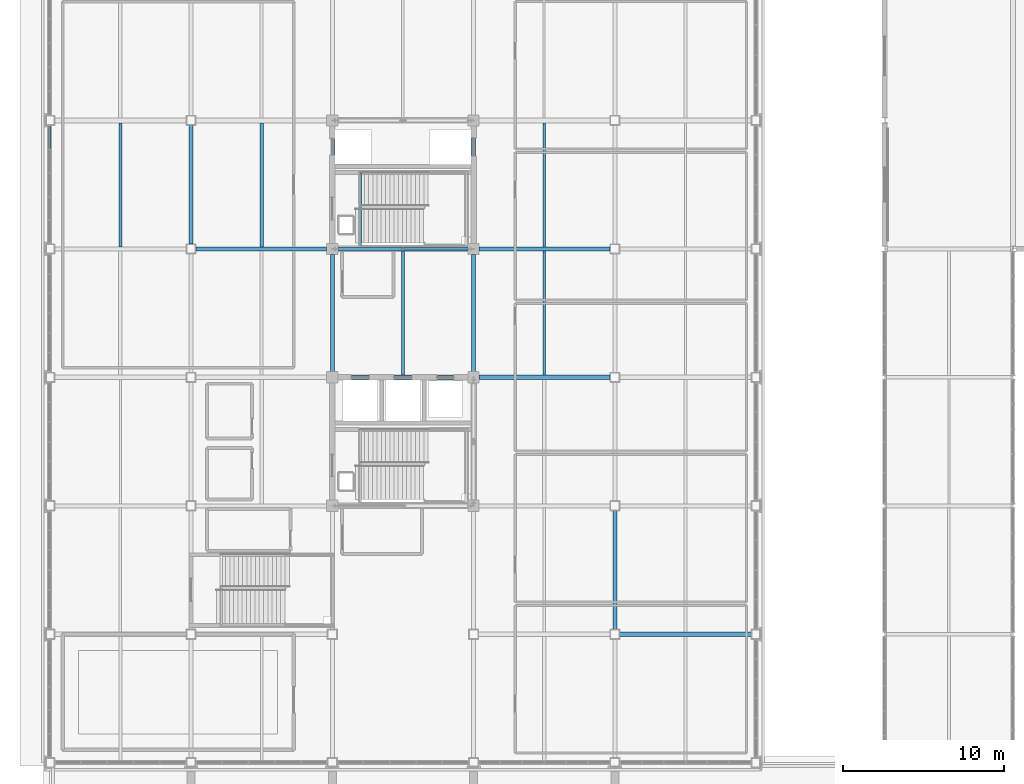
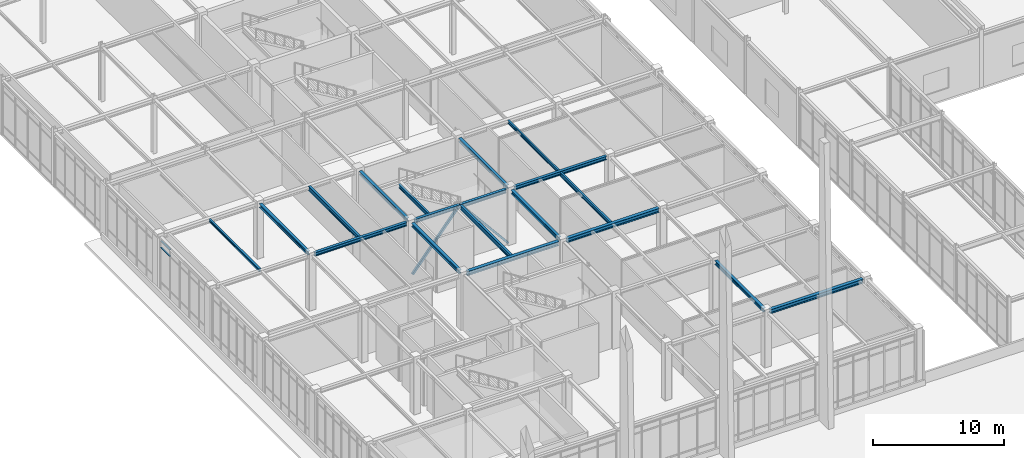
# One storey, part 29 of 108: 18 beams, 4 members, 1 element without a shape of its own.
"""IFC4 building model written with IfcOpenShell, lengths in metres."""

from ifc_helpers import new_model, si_unit, direction, frame, origin, origin_2d, place, context, subcontext, project, spatial, rectangle, hollow_rectangle, i_section, extrude, material, material_profile, profile_set, type_object, element, aggregate, save


model = new_model("IFC4")

# Units and contexts
model_context = context("Model", 3, precision=1e-05, world=origin(), true_north=direction((0.0, 1.0)))
body_context = subcontext(model_context, "Body", "Model", "MODEL_VIEW")
ifc_project = project(units=[si_unit("LENGTHUNIT", "METRE"), si_unit("AREAUNIT", "SQUARE_METRE"), si_unit("VOLUMEUNIT", "CUBIC_METRE"), si_unit("PLANEANGLEUNIT", "RADIAN"), si_unit("MASSUNIT", "GRAM", prefix="KILO")], contexts=[model_context])

# Site, building, storey
site_placement = place(None, origin())
site = spatial("IfcSite", under=ifc_project, at=site_placement, CompositionType="ELEMENT")
building_placement = place(site_placement, origin())
building = spatial("IfcBuilding", under=site, at=building_placement, Name="Zhaolan Boulevard Law Courts", CompositionType="ELEMENT")
storey_placement = place(building_placement, frame((0.0, 0.0, 10.800048828125)))
storey = spatial("IfcBuildingStorey", under=building, at=storey_placement, Name="L02", CompositionType="ELEMENT", Elevation=10.800048828125)

# Members
ifc_material_1 = material(Name="Structural steel Q355B", Category="steel")
ifc_material_profile_1 = material_profile(ifc_material_1, hollow_rectangle(XDim=0.179931640625, YDim=0.179931640625, WallThickness=0.008056640625, InnerFilletRadius=0.008056640625, OuterFilletRadius=0.01611328125, at=origin_2d()), Name="HSS180x180x8")
ifc_profile_set_1 = profile_set([ifc_material_profile_1], Name="Structural steel Q355B")
member_type_1 = type_object("IfcMemberType", Name="BRACE HSS180", PredefinedType="BRACE", material=ifc_profile_set_1)
member_1_placement = place(storey_placement, frame((26.219970703125, 62.0, 0.030029296875), z_axis=(-0.638257420724, 0.0, 0.769823008808), x_axis=(0.0, -1.0, 0.0)))
element("IfcMember", 1, at=member_1_placement, inside=storey, type_object=member_type_1, Name="Core Brace BR-W2-L02-S2", PredefinedType="BRACE", context=body_context, shape_type="SweptSolid", body=[
    extrude(hollow_rectangle(XDim=0.179931640625, YDim=0.179931640625, WallThickness=0.008056640625, InnerFilletRadius=0.008056640625, OuterFilletRadius=0.01611328125, at=origin_2d()), origin(), (0.0, 0.0, 1.0), 6.61181640625),
])
ifc_material_2 = material(Name="Structural steel Q355B", Category="steel")
ifc_material_profile_2 = material_profile(ifc_material_2, hollow_rectangle(XDim=0.199951171875, YDim=0.199951171875, WallThickness=0.010009765625, InnerFilletRadius=0.010009765625, OuterFilletRadius=0.02001953125, at=origin_2d()), Name="HSS200x200x10")
ifc_profile_set_2 = profile_set([ifc_material_profile_2], Name="Structural steel Q355B")
member_type_2 = type_object("IfcMemberType", Name="BRACE HSS200", PredefinedType="BRACE", material=ifc_profile_set_2)
member_2_placement = place(storey_placement, frame((17.780029296875, 62.0, 0.030029296875), z_axis=(0.638257420724, 0.0, 0.769823008808), x_axis=(0.0, 1.0, 0.0)))
element("IfcMember", 2, at=member_2_placement, inside=storey, type_object=member_type_2, Name="Core Brace BR-W2-L02-S1", PredefinedType="BRACE", context=body_context, shape_type="SweptSolid", body=[
    extrude(hollow_rectangle(XDim=0.199951171875, YDim=0.199951171875, WallThickness=0.010009765625, InnerFilletRadius=0.010009765625, OuterFilletRadius=0.02001953125, at=origin_2d()), origin(), (0.0, 0.0, 1.0), 6.61181640625),
])

# Curtain wall, members
ifc_material_3 = material(Name="Thermally broken aluminium and low-E glazing", Category="aluminium")
curtain_wall_type = type_object("IfcCurtainWallType", Name="CURTAIN WALL M16", PredefinedType="USERDEFINED", material=ifc_material_3)
curtain_wall_placement = place(storey_placement, origin())
curtain_wall = element("IfcCurtainWall", 3, at=curtain_wall_placement, inside=storey, type_object=curtain_wall_type, Name="Curtain Wall CW-L02-160", ObjectType="CURTAIN WALL", PredefinedType="USERDEFINED")
ifc_material_4 = material(Name="Fluorocarbon-coated aluminium 6063-T6", Category="aluminium")
ifc_material_profile_3 = material_profile(ifc_material_4, rectangle(XDim=0.139892578125, YDim=0.06494140625, at=origin_2d()), Name="AL65x140")
ifc_profile_set_3 = profile_set([ifc_material_profile_3], Name="Fluorocarbon-coated aluminium 6063-T6")
member_type_3 = type_object("IfcMemberType", Name="CWTRANSOM 65X140", PredefinedType="USERDEFINED", material=ifc_profile_set_3)
member_3_placement = place(storey_placement, frame((0.0, 69.633056640625, 4.133056640625), z_axis=(0.0, -1.0, 0.0), x_axis=(1.0, 0.0, 0.0)))
member_3 = element("IfcMember", 4, at=member_3_placement, type_object=member_type_3, Name="CW-L02-160 transom 1.3", ObjectType="TRANSOM", PredefinedType="USERDEFINED", context=body_context, shape_type="SweptSolid", body=[
    extrude(rectangle(XDim=0.139892578125, YDim=0.06494140625, at=origin_2d()), origin(), (0.0, 0.0, 1.0), 1.3818359375),
])
member_4_placement = place(storey_placement, frame((0.0, 69.633056640625, 4.75048828125), z_axis=(0.0, -1.0, 0.0), x_axis=(1.0, 0.0, 0.0)))
member_4 = element("IfcMember", 5, at=member_4_placement, type_object=member_type_3, Name="CW-L02-160 transom 1.4", ObjectType="TRANSOM", PredefinedType="USERDEFINED", context=body_context, shape_type="SweptSolid", body=[
    extrude(rectangle(XDim=0.139892578125, YDim=0.06494140625, at=origin_2d()), origin(), (0.0, 0.0, 1.0), 1.3818359375),
])
aggregate(curtain_wall, [member_3, member_4])

# Beams
ifc_material_5 = material(Name="Structural steel Q355B", Category="steel")
ifc_material_profile_4 = material_profile(ifc_material_5, i_section(OverallWidth=0.25, OverallDepth=0.340087890625, WebThickness=0.009033203125, FlangeThickness=0.013916015625, FilletRadius=0.01611328125, at=origin_2d()), Name="HM340x250")
ifc_profile_set_4 = profile_set([ifc_material_profile_4], Name="Structural steel Q355B")
beam_type_1 = type_object("IfcBeamType", Name="GIRDER HM340", PredefinedType="BEAM", material=ifc_profile_set_4)
beam_1_placement = place(storey_placement, frame((8.800048828125, 62.2958984375, 4.968017578125), z_axis=(0.0, 1.0, 0.0), x_axis=(-1.0, 0.0, 0.0)))
element("IfcBeam", 6, at=beam_1_placement, inside=storey, type_object=beam_type_1, Name="Beam BY-L03-2-J-K", PredefinedType="BEAM", context=body_context, shape_type="SweptSolid", body=[
    extrude(i_section(OverallWidth=0.25, OverallDepth=0.340087890625, WebThickness=0.009033203125, FlangeThickness=0.013916015625, FilletRadius=0.01611328125, at=origin_2d()), origin(), (0.0, 0.0, 1.0), 7.408203125),
])
for number, where, z_axis, x_axis, name in (
    (7, (17.60009765625, 54.345947265625, 4.968017578125), (0.0, 1.0, 0.0), (-1.0, 0.0, 0.0), "Beam BY-L03-3-H-J"),
    (8, (17.60009765625, 62.345947265625, 4.968017578125), (0.0, 1.0, 0.0), (-1.0, 0.0, 0.0), "Beam BY-L03-3-J-K"),
    (9, (26.39990234375, 54.345947265625, 4.968017578125), (0.0, 1.0, 0.0), (-1.0, 0.0, 0.0), "Beam BY-L03-4-H-J"),
    (10, (26.39990234375, 62.345947265625, 4.968017578125), (0.0, 1.0, 0.0), (-1.0, 0.0, 0.0), "Beam BY-L03-4-J-K"),
):
    element("IfcBeam", number, at=place(storey_placement, frame(where, z_axis=z_axis, x_axis=x_axis)), inside=storey, type_object=beam_type_1, Name=name, PredefinedType="BEAM", context=body_context, shape_type="SweptSolid", body=[
        extrude(i_section(OverallWidth=0.25, OverallDepth=0.340087890625, WebThickness=0.009033203125, FlangeThickness=0.013916015625, FilletRadius=0.01611328125, at=origin_2d()), origin(), (0.0, 0.0, 1.0), 7.30810546875),
    ])
beam_2_placement = place(storey_placement, frame((35.199951171875, 38.2958984375, 4.968017578125), z_axis=(0.0, 1.0, 0.0), x_axis=(-1.0, 0.0, 0.0)))
element("IfcBeam", 11, at=beam_2_placement, inside=storey, type_object=beam_type_1, Name="Beam BY-L03-5-F-G", PredefinedType="BEAM", context=body_context, shape_type="SweptSolid", body=[
    extrude(i_section(OverallWidth=0.25, OverallDepth=0.340087890625, WebThickness=0.009033203125, FlangeThickness=0.013916015625, FilletRadius=0.01611328125, at=origin_2d()), origin(), (0.0, 0.0, 1.0), 7.408203125),
])
ifc_material_6 = material(Name="Structural steel Q355B", Category="steel")
ifc_material_profile_5 = material_profile(ifc_material_6, i_section(OverallWidth=0.300048828125, OverallDepth=0.389892578125, WebThickness=0.010009765625, FlangeThickness=0.01611328125, FilletRadius=0.01806640625, at=origin_2d()), Name="HM390x300")
ifc_profile_set_5 = profile_set([ifc_material_profile_5], Name="Structural steel Q355B")
beam_type_2 = type_object("IfcBeamType", Name="GIRDER HM390", PredefinedType="BEAM", material=ifc_profile_set_5)
beam_3_placement = place(storey_placement, frame((35.49609375, 38.0, 4.94287109375), z_axis=(1.0, 0.0, 0.0), x_axis=(0.0, 1.0, 0.0)))
element("IfcBeam", 12, at=beam_3_placement, inside=storey, type_object=beam_type_2, Name="Beam BX-L03-5-6-F", PredefinedType="BEAM", context=body_context, shape_type="SweptSolid", body=[
    extrude(i_section(OverallWidth=0.300048828125, OverallDepth=0.389892578125, WebThickness=0.010009765625, FlangeThickness=0.01611328125, FilletRadius=0.01806640625, at=origin_2d()), origin(), (0.0, 0.0, 1.0), 8.2080078125),
])
beam_4_placement = place(storey_placement, frame((17.946044921875, 54.0, 4.94287109375), z_axis=(1.0, 0.0, 0.0), x_axis=(0.0, 1.0, 0.0)))
element("IfcBeam", 13, at=beam_4_placement, inside=storey, type_object=beam_type_2, Name="Beam BX-L03-3-4-H", PredefinedType="BEAM", context=body_context, shape_type="SweptSolid", body=[
    extrude(i_section(OverallWidth=0.300048828125, OverallDepth=0.389892578125, WebThickness=0.010009765625, FlangeThickness=0.01611328125, FilletRadius=0.01806640625, at=origin_2d()), origin(), (0.0, 0.0, 1.0), 8.10791015625),
])
beam_5_placement = place(storey_placement, frame((26.74609375, 54.0, 4.94287109375), z_axis=(1.0, 0.0, 0.0), x_axis=(0.0, 1.0, 0.0)))
element("IfcBeam", 14, at=beam_5_placement, inside=storey, type_object=beam_type_2, Name="Beam BX-L03-4-5-H", PredefinedType="BEAM", context=body_context, shape_type="SweptSolid", body=[
    extrude(i_section(OverallWidth=0.300048828125, OverallDepth=0.389892578125, WebThickness=0.010009765625, FlangeThickness=0.01611328125, FilletRadius=0.01806640625, at=origin_2d()), origin(), (0.0, 0.0, 1.0), 8.157958984375),
])
ifc_material_7 = material(Name="Structural steel Q355B", Category="steel")
ifc_material_profile_6 = material_profile(ifc_material_7, i_section(OverallWidth=0.175048828125, OverallDepth=0.243896484375, WebThickness=0.007080078125, FlangeThickness=0.010986328125, FilletRadius=0.012939453125, at=origin_2d()), Name="HM244x175")
ifc_profile_set_6 = profile_set([ifc_material_profile_6], Name="Structural steel Q355B")
beam_type_3 = type_object("IfcBeamType", Name="JOIST HM244", PredefinedType="JOIST", material=ifc_profile_set_6)
beam_6_placement = place(storey_placement, frame((4.39990234375, 62.12109375, 5.015869140625), z_axis=(0.0, 1.0, 0.0), x_axis=(-1.0, 0.0, 0.0)))
element("IfcBeam", 15, at=beam_6_placement, inside=storey, type_object=beam_type_3, Name="Composite Joist J-L03-1J", PredefinedType="JOIST", context=body_context, shape_type="SweptSolid", body=[
    extrude(i_section(OverallWidth=0.175048828125, OverallDepth=0.243896484375, WebThickness=0.007080078125, FlangeThickness=0.010986328125, FilletRadius=0.012939453125, at=origin_2d()), origin(), (0.0, 0.0, 1.0), 7.73291015625),
])
ifc_material_8 = material(Name="Structural steel Q355B", Category="steel")
ifc_material_profile_7 = material_profile(ifc_material_8, i_section(OverallWidth=0.14990234375, OverallDepth=0.300048828125, WebThickness=0.006591796875, FlangeThickness=0.009033203125, FilletRadius=0.010986328125, at=origin_2d()), Name="HN300x150")
ifc_profile_set_7 = profile_set([ifc_material_profile_7], Name="Structural steel Q355B")
beam_type_4 = type_object("IfcBeamType", Name="JOIST HN300", PredefinedType="JOIST", material=ifc_profile_set_7)
beam_7_placement = place(storey_placement, frame((30.800048828125, 62.12109375, 4.988037109375), z_axis=(0.0, 1.0, 0.0), x_axis=(-1.0, 0.0, 0.0)))
element("IfcBeam", 16, at=beam_7_placement, inside=storey, type_object=beam_type_4, Name="Composite Joist J-L03-4J", PredefinedType="JOIST", context=body_context, shape_type="SweptSolid", body=[
    extrude(i_section(OverallWidth=0.14990234375, OverallDepth=0.300048828125, WebThickness=0.006591796875, FlangeThickness=0.009033203125, FilletRadius=0.010986328125, at=origin_2d()), origin(), (0.0, 0.0, 1.0), 7.73291015625),
])
ifc_material_9 = material(Name="Structural steel Q355B", Category="steel")
ifc_material_profile_8 = material_profile(ifc_material_9, i_section(OverallWidth=0.175048828125, OverallDepth=0.35009765625, WebThickness=0.007080078125, FlangeThickness=0.010986328125, FilletRadius=0.012939453125, at=origin_2d()), Name="HN350x175")
ifc_profile_set_8 = profile_set([ifc_material_profile_8], Name="Structural steel Q355B")
beam_type_5 = type_object("IfcBeamType", Name="JOIST HN350", PredefinedType="JOIST", material=ifc_profile_set_8)
beam_8_placement = place(storey_placement, frame((30.800048828125, 54.14599609375, 4.962890625), z_axis=(0.0, 1.0, 0.0), x_axis=(-1.0, 0.0, 0.0)))
element("IfcBeam", 17, at=beam_8_placement, inside=storey, type_object=beam_type_5, Name="Composite Joist J-L03-4H", PredefinedType="JOIST", context=body_context, shape_type="SweptSolid", body=[
    extrude(i_section(OverallWidth=0.175048828125, OverallDepth=0.35009765625, WebThickness=0.007080078125, FlangeThickness=0.010986328125, FilletRadius=0.012939453125, at=origin_2d()), origin(), (0.0, 0.0, 1.0), 7.73291015625),
])
ifc_material_10 = material(Name="Structural steel Q355B", Category="steel")
ifc_material_profile_9 = material_profile(ifc_material_10, i_section(OverallWidth=0.199951171875, OverallDepth=0.39990234375, WebThickness=0.008056640625, FlangeThickness=0.012939453125, FilletRadius=0.013916015625, at=origin_2d()), Name="HN400x200")
ifc_profile_set_9 = profile_set([ifc_material_profile_9], Name="Structural steel Q355B")
beam_type_6 = type_object("IfcBeamType", Name="JOIST HN400", PredefinedType="JOIST", material=ifc_profile_set_9)
for number, where, z_axis, x_axis, name in (
    (18, (13.199951171875, 62.12109375, 4.93798828125), (0.0, 1.0, 0.0), (-1.0, 0.0, 0.0), "Composite Joist J-L03-2J"),
    (19, (22.0, 54.14599609375, 4.93798828125), (0.0, 1.0, 0.0), (-1.0, 0.0, 0.0), "Composite Joist J-L03-3H"),
):
    element("IfcBeam", number, at=place(storey_placement, frame(where, z_axis=z_axis, x_axis=x_axis)), inside=storey, type_object=beam_type_6, Name=name, PredefinedType="JOIST", context=body_context, shape_type="SweptSolid", body=[
        extrude(i_section(OverallWidth=0.199951171875, OverallDepth=0.39990234375, WebThickness=0.008056640625, FlangeThickness=0.012939453125, FilletRadius=0.013916015625, at=origin_2d()), origin(), (0.0, 0.0, 1.0), 7.73291015625),
    ])
ifc_material_11 = material(Name="Structural steel Q355B", Category="steel")
ifc_material_profile_10 = material_profile(ifc_material_11, i_section(OverallWidth=0.25, OverallDepth=0.340087890625, WebThickness=0.009033203125, FlangeThickness=0.013916015625, FilletRadius=0.01611328125, at=origin_2d()), Name="HM340x250")
ifc_profile_set_10 = profile_set([ifc_material_profile_10], Name="Structural steel Q355B")
beam_type_7 = type_object("IfcBeamType", Name="SPANDREL HM340", PredefinedType="SPANDREL", material=ifc_profile_set_10)
beam_9_placement = place(storey_placement, frame((9.095947265625, 62.0, 4.968017578125), z_axis=(1.0, 0.0, 0.0), x_axis=(0.0, 1.0, 0.0)))
element("IfcBeam", 20, at=beam_9_placement, inside=storey, type_object=beam_type_7, Name="Beam BX-L03-2-3-J", PredefinedType="SPANDREL", context=body_context, shape_type="SweptSolid", body=[
    extrude(i_section(OverallWidth=0.25, OverallDepth=0.340087890625, WebThickness=0.009033203125, FlangeThickness=0.013916015625, FilletRadius=0.01611328125, at=origin_2d()), origin(), (0.0, 0.0, 1.0), 8.157958984375),
])
beam_10_placement = place(storey_placement, frame((17.946044921875, 62.0, 4.968017578125), z_axis=(1.0, 0.0, 0.0), x_axis=(0.0, 1.0, 0.0)))
element("IfcBeam", 21, at=beam_10_placement, inside=storey, type_object=beam_type_7, Name="Beam BX-L03-3-4-J", PredefinedType="SPANDREL", context=body_context, shape_type="SweptSolid", body=[
    extrude(i_section(OverallWidth=0.25, OverallDepth=0.340087890625, WebThickness=0.009033203125, FlangeThickness=0.013916015625, FilletRadius=0.01611328125, at=origin_2d()), origin(), (0.0, 0.0, 1.0), 8.10791015625),
])
beam_11_placement = place(storey_placement, frame((26.74609375, 62.0, 4.968017578125), z_axis=(1.0, 0.0, 0.0), x_axis=(0.0, 1.0, 0.0)))
element("IfcBeam", 22, at=beam_11_placement, inside=storey, type_object=beam_type_7, Name="Beam BX-L03-4-5-J", PredefinedType="SPANDREL", context=body_context, shape_type="SweptSolid", body=[
    extrude(i_section(OverallWidth=0.25, OverallDepth=0.340087890625, WebThickness=0.009033203125, FlangeThickness=0.013916015625, FilletRadius=0.01611328125, at=origin_2d()), origin(), (0.0, 0.0, 1.0), 8.157958984375),
])
ifc_material_12 = material(Name="Structural steel Q355B", Category="steel")
ifc_material_profile_11 = material_profile(ifc_material_12, i_section(OverallWidth=0.175048828125, OverallDepth=0.35009765625, WebThickness=0.007080078125, FlangeThickness=0.010986328125, FilletRadius=0.012939453125, at=origin_2d()), Name="HN350x175")
ifc_profile_set_11 = profile_set([ifc_material_profile_11], Name="Structural steel Q355B")
beam_type_8 = type_object("IfcBeamType", Name="STAIR TRIMMER HN350", PredefinedType="BEAM", material=ifc_profile_set_11)
beam_12_placement = place(storey_placement, frame((19.3349609375, 62.1650390625, 4.93505859375), z_axis=(0.0, 1.0, 0.0), x_axis=(-1.0, 0.0, 0.0)))
element("IfcBeam", 23, at=beam_12_placement, inside=storey, type_object=beam_type_8, Name="Stair Landing Trimmer Beam STB-ST02-L03", PredefinedType="BEAM", context=body_context, shape_type="SweptSolid", body=[
    extrude(i_section(OverallWidth=0.175048828125, OverallDepth=0.35009765625, WebThickness=0.007080078125, FlangeThickness=0.010986328125, FilletRadius=0.012939453125, at=origin_2d()), origin(), (0.0, 0.0, 1.0), 4.544921875),
])

save(model, "model.ifc")
